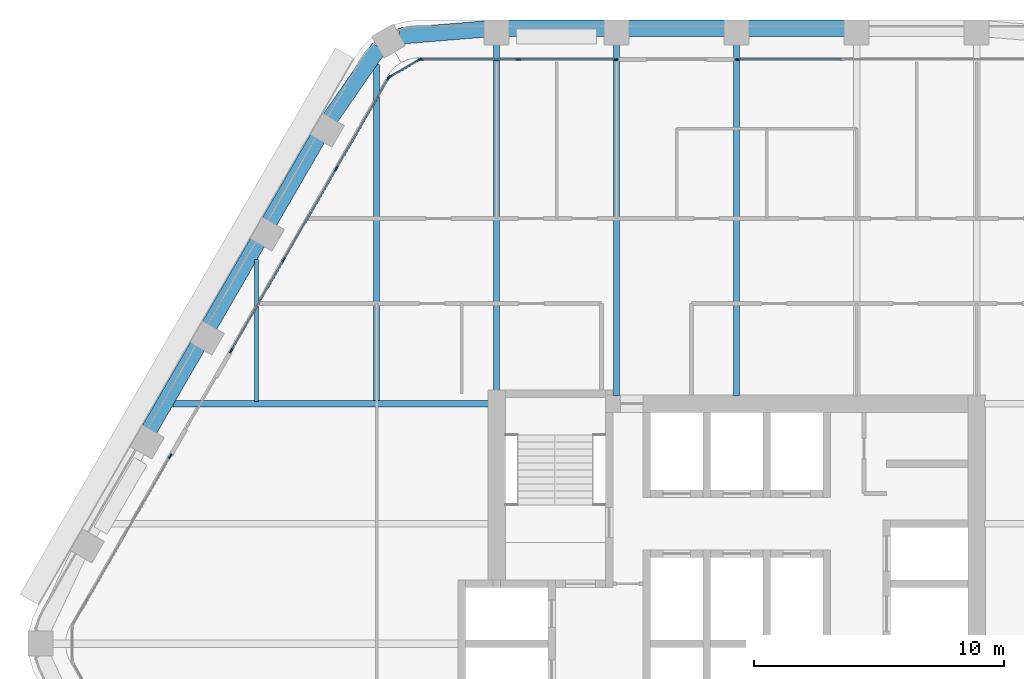
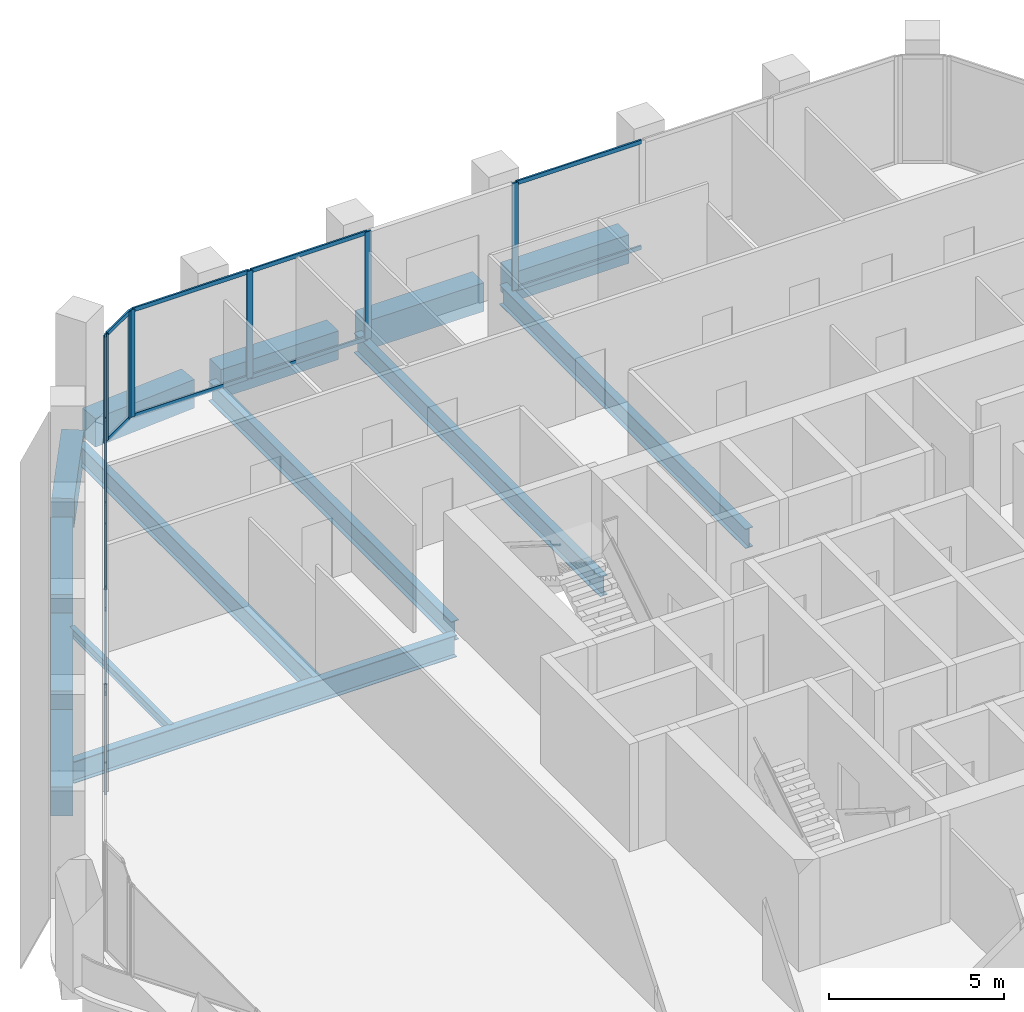
# One storey, part 5 of 15: 25 members, 14 beams, 5 elements without a shape of their own.
"""IFC4 building model written with IfcOpenShell, lengths in metres."""

from ifc_helpers import new_model, si_unit, direction, frame, origin, origin_2d, place, context, subcontext, project, spatial, rectangle, i_section, extrude, material, material_profile, profile_set, type_object, element, aggregate, save


model = new_model("IFC4")

# Units and contexts
model_context = context("Model", 3, precision=1e-05, world=origin(), true_north=direction((0.0, 1.0)))
body_context = subcontext(model_context, "Body", "Model", "MODEL_VIEW")
ifc_project = project(units=[si_unit("LENGTHUNIT", "METRE"), si_unit("AREAUNIT", "SQUARE_METRE"), si_unit("VOLUMEUNIT", "CUBIC_METRE"), si_unit("PLANEANGLEUNIT", "RADIAN"), si_unit("MASSUNIT", "GRAM", prefix="KILO")], contexts=[model_context])

# Site, building, storey
site_placement = place(None, origin())
site = spatial("IfcSite", under=ifc_project, at=site_placement, CompositionType="ELEMENT")
building_placement = place(site_placement, origin())
building = spatial("IfcBuilding", under=site, at=building_placement, Name="Kolab Exchange Tower", CompositionType="ELEMENT")
storey_placement = place(building_placement, frame((0.0, 0.0, 170.0)))
storey = spatial("IfcBuildingStorey", under=building, at=storey_placement, Name="L35", CompositionType="ELEMENT", Elevation=170.0)

# Beams
ifc_material_1 = material(Name="Steel S355", Category="steel")
ifc_material_profile_1 = material_profile(ifc_material_1, i_section(OverallWidth=0.1650390625, OverallDepth=0.31005859375, WebThickness=0.005859375, FlangeThickness=0.009765625, at=origin_2d()), Name="W310X39")
ifc_profile_set_1 = profile_set([ifc_material_profile_1], Name="Steel S355")
beam_type_1 = type_object("IfcBeamType", Name="FLOOR BEAM W310X39", PredefinedType="BEAM", material=ifc_profile_set_1)
beam_1_placement = place(storey_placement, frame((-19.199951171875, 9.693603515625, -0.304931640625), z_axis=(0.0, 1.0, 0.0), x_axis=(-1.0, 0.0, 0.0)))
element("IfcBeam", 1, at=beam_1_placement, inside=storey, type_object=beam_type_1, Name="beam/L35/fr/004", PredefinedType="BEAM", context=body_context, shape_type="SweptSolid", body=[
    extrude(i_section(OverallWidth=0.1650390625, OverallDepth=0.31005859375, WebThickness=0.005859375, FlangeThickness=0.009765625, at=origin_2d()), origin(), (0.0, 0.0, 1.0), 5.674072265625),
])
ifc_material_profile_2 = material_profile(ifc_material_1, i_section(OverallWidth=0.25390625, OverallDepth=0.68408203125, WebThickness=0.012451171875, FlangeThickness=0.018798828125, at=origin_2d()), Name="W690X140")
ifc_profile_set_2 = profile_set([ifc_material_profile_2], Name="Steel S355")
beam_type_2 = type_object("IfcBeamType", Name="FLOOR BEAM W690X140", PredefinedType="BEAM", material=ifc_profile_set_2)
beam_2_placement = place(storey_placement, frame((-14.39990234375, 9.693603515625, -0.491943359375), z_axis=(0.0, 1.0, 0.0), x_axis=(-1.0, 0.0, 0.0)))
element("IfcBeam", 2, at=beam_2_placement, inside=storey, type_object=beam_type_2, Name="beam/L35/fr/006", PredefinedType="BEAM", context=body_context, shape_type="SweptSolid", body=[
    extrude(i_section(OverallWidth=0.25390625, OverallDepth=0.68408203125, WebThickness=0.012451171875, FlangeThickness=0.018798828125, at=origin_2d()), origin(), (0.0, 0.0, 1.0), 13.462158203125),
])
beam_3_placement = place(storey_placement, frame((-9.60009765625, 10.110107421875, -0.491943359375), z_axis=(0.0, 1.0, 0.0), x_axis=(-1.0, 0.0, 0.0)))
element("IfcBeam", 3, at=beam_3_placement, inside=storey, type_object=beam_type_2, Name="beam/L35/fr/008", PredefinedType="BEAM", context=body_context, shape_type="SweptSolid", body=[
    extrude(i_section(OverallWidth=0.25390625, OverallDepth=0.68408203125, WebThickness=0.012451171875, FlangeThickness=0.018798828125, at=origin_2d()), origin(), (0.0, 0.0, 1.0), 13.871337890625),
])
for number, where, z_axis, x_axis, name in (
    (4, (-4.800048828125, 9.909912109375, -0.491943359375), (0.0, 1.0, 0.0), (-1.0, 0.0, 0.0), "beam/L35/fr/010"),
    (5, (0.0, 9.909912109375, -0.491943359375), (0.0, 1.0, 0.0), (-1.0, 0.0, 0.0), "beam/L35/fr/012"),
):
    element("IfcBeam", number, at=place(storey_placement, frame(where, z_axis=z_axis, x_axis=x_axis)), inside=storey, type_object=beam_type_2, Name=name, PredefinedType="BEAM", context=body_context, shape_type="SweptSolid", body=[
        extrude(i_section(OverallWidth=0.25390625, OverallDepth=0.68408203125, WebThickness=0.012451171875, FlangeThickness=0.018798828125, at=origin_2d()), origin(), (0.0, 0.0, 1.0), 14.071533203125),
    ])
ifc_material_profile_3 = material_profile(ifc_material_1, i_section(OverallWidth=0.26708984375, OverallDepth=0.761962890625, WebThickness=0.014404296875, FlangeThickness=0.021484375, at=origin_2d()), Name="W760X173")
ifc_profile_set_3 = profile_set([ifc_material_profile_3], Name="Steel S355")
beam_type_3 = type_object("IfcBeamType", Name="FLOOR GIRDER W760X173", PredefinedType="BEAM", material=ifc_profile_set_3)
beam_4_placement = place(storey_placement, frame((-22.546875, 9.60009765625, -0.531005859375), z_axis=(1.0, 0.0, 0.0), x_axis=(0.0, 1.0, 0.0)))
element("IfcBeam", 6, at=beam_4_placement, inside=storey, type_object=beam_type_3, Name="beam/L35/gd/001", PredefinedType="BEAM", context=body_context, shape_type="SweptSolid", body=[
    extrude(i_section(OverallWidth=0.26708984375, OverallDepth=0.761962890625, WebThickness=0.014404296875, FlangeThickness=0.021484375, at=origin_2d()), origin(), (0.0, 0.0, 1.0), 12.636962890625),
])
ifc_material_2 = material(Name="Concrete C60/75", Category="concrete")
ifc_material_profile_4 = material_profile(ifc_material_2, rectangle(XDim=0.64990234375, YDim=1.0, at=origin_2d()), Name="RC650X1000")
ifc_profile_set_4 = profile_set([ifc_material_profile_4], Name="Concrete C60/75")
beam_type_4 = type_object("IfcBeamType", Name="SPANDREL BEAM 650X1000 C60/75", PredefinedType="BEAM", material=ifc_profile_set_4)
beam_5_placement = place(storey_placement, frame((-13.493896484375, 24.2998046875, -0.64990234375), z_axis=(0.996708497182, 0.081068931445, 0.0), x_axis=(-0.081068931445, 0.996708497182, 0.0)))
element("IfcBeam", 7, at=beam_5_placement, inside=storey, type_object=beam_type_4, Name="beam/L35/sp/F1-01", PredefinedType="BEAM", context=body_context, shape_type="SweptSolid", body=[
    extrude(rectangle(XDim=0.64990234375, YDim=1.0, at=origin_2d()), origin(), (0.0, 0.0, 1.0), 3.445068359375),
])
beam_6_placement = place(storey_placement, frame((-9.139892578125, 24.616455078125, -0.64990234375), z_axis=(1.0, 0.0, 0.0), x_axis=(0.0, 1.0, 0.0)))
element("IfcBeam", 8, at=beam_6_placement, inside=storey, type_object=beam_type_4, Name="beam/L35/sp/F1-02", PredefinedType="BEAM", context=body_context, shape_type="SweptSolid", body=[
    extrude(rectangle(XDim=0.64990234375, YDim=1.0, at=origin_2d()), origin(), (0.0, 0.0, 1.0), 3.8798828125),
])
for number, where, z_axis, x_axis, name in (
    (9, (-4.340087890625, 24.616455078125, -0.64990234375), (1.0, 0.0, 0.0), (0.0, 1.0, 0.0), "beam/L35/sp/F1-03"),
    (10, (0.4599609375, 24.616455078125, -0.64990234375), (1.0, 0.0, 0.0), (0.0, 1.0, 0.0), "beam/L35/sp/F1-04"),
):
    element("IfcBeam", number, at=place(storey_placement, frame(where, z_axis=z_axis, x_axis=x_axis)), inside=storey, type_object=beam_type_4, Name=name, PredefinedType="BEAM", context=body_context, shape_type="SweptSolid", body=[
        extrude(rectangle(XDim=0.64990234375, YDim=1.0, at=origin_2d()), origin(), (0.0, 0.0, 1.0), 3.880126953125),
    ])
beam_7_placement = place(storey_placement, frame((-23.488525390625, 8.5498046875, -0.64990234375), z_axis=(0.499996613652, 0.866027358884, 0.0), x_axis=(-0.866027358884, 0.499996613652, 0.0)))
element("IfcBeam", 11, at=beam_7_placement, inside=storey, type_object=beam_type_4, Name="beam/L35/sp/F6-03", PredefinedType="BEAM", context=body_context, shape_type="SweptSolid", body=[
    extrude(rectangle(XDim=0.64990234375, YDim=1.0, at=origin_2d()), origin(), (0.0, 0.0, 1.0), 3.8798828125),
])
beam_8_placement = place(storey_placement, frame((-21.088623046875, 12.70654296875, -0.64990234375), z_axis=(0.50001655835, 0.866015843605, 0.0), x_axis=(-0.866015843605, 0.50001655835, 0.0)))
element("IfcBeam", 12, at=beam_8_placement, inside=storey, type_object=beam_type_4, Name="beam/L35/sp/F6-04", PredefinedType="BEAM", context=body_context, shape_type="SweptSolid", body=[
    extrude(rectangle(XDim=0.64990234375, YDim=1.0, at=origin_2d()), origin(), (0.0, 0.0, 1.0), 3.880126953125),
])
beam_9_placement = place(storey_placement, frame((-18.6884765625, 16.863525390625, -0.64990234375), z_axis=(0.499996613652, 0.866027358884, 0.0), x_axis=(-0.866027358884, 0.499996613652, 0.0)))
element("IfcBeam", 13, at=beam_9_placement, inside=storey, type_object=beam_type_4, Name="beam/L35/sp/F6-05", PredefinedType="BEAM", context=body_context, shape_type="SweptSolid", body=[
    extrude(rectangle(XDim=0.64990234375, YDim=1.0, at=origin_2d()), origin(), (0.0, 0.0, 1.0), 3.8798828125),
])
beam_10_placement = place(storey_placement, frame((-16.256103515625, 21.001953125, -0.64990234375), z_axis=(0.568572281073, 0.822633309073, 0.0), x_axis=(-0.822633309073, 0.568572281073, 0.0)))
element("IfcBeam", 14, at=beam_10_placement, inside=storey, type_object=beam_type_4, Name="beam/L35/sp/F6-06", PredefinedType="BEAM", context=body_context, shape_type="SweptSolid", body=[
    extrude(rectangle(XDim=0.64990234375, YDim=1.0, at=origin_2d()), origin(), (0.0, 0.0, 1.0), 3.445068359375),
])

# Curtain wall, members
ifc_material_3 = material(Name="Aluminium EN AW-6063 T6", Category="aluminium")
curtain_wall_type = type_object("IfcCurtainWallType", Name="UNITISED UPPER MID ZONE CURTAIN WALL", PredefinedType="NOTDEFINED", material=ifc_material_3)
curtain_wall_1_placement = place(storey_placement, origin())
curtain_wall_1 = element("IfcCurtainWall", 15, at=curtain_wall_1_placement, inside=storey, type_object=curtain_wall_type, Name="cw/L35/F1-1", PredefinedType="NOTDEFINED")
ifc_material_profile_5 = material_profile(ifc_material_3, rectangle(XDim=0.06005859375, YDim=0.199951171875, at=origin_2d()), Name="RECT 60X200")
ifc_profile_set_5 = profile_set([ifc_material_profile_5], Name="Aluminium EN AW-6063 T6")
member_type_1 = type_object("IfcMemberType", Name="UNITISED UPPER MID ZONE MULLION 60 X 200", PredefinedType="MULLION", material=ifc_profile_set_5)
member_1_placement = place(storey_placement, frame((-12.637939453125, 23.361572265625, 0.0), z_axis=(0.0, 0.0, 1.0), x_axis=(0.0, 1.0, 0.0)))
member_1 = element("IfcMember", 16, at=member_1_placement, type_object=member_type_1, Name="CW3 mullion 1", PredefinedType="MULLION", context=body_context, shape_type="SweptSolid", body=[
    extrude(rectangle(XDim=0.06005859375, YDim=0.199951171875, at=origin_2d()), origin(), (0.0, 0.0, 1.0), 3.75),
])
member_2_placement = place(storey_placement, frame((-8.73388671875, 23.361572265625, 0.0), z_axis=(0.0, 0.0, 1.0), x_axis=(0.0, 1.0, 0.0)))
member_2 = element("IfcMember", 17, at=member_2_placement, type_object=member_type_1, Name="CW3 mullion 2", PredefinedType="MULLION", context=body_context, shape_type="SweptSolid", body=[
    extrude(rectangle(XDim=0.06005859375, YDim=0.199951171875, at=origin_2d()), origin(), (0.0, 0.0, 1.0), 3.75),
])
member_3_placement = place(storey_placement, frame((-4.830078125, 23.361572265625, 0.0), z_axis=(0.0, 0.0, 1.0), x_axis=(0.0, 1.0, 0.0)))
member_3 = element("IfcMember", 18, at=member_3_placement, type_object=member_type_1, Name="CW3 mullion 3", PredefinedType="MULLION", context=body_context, shape_type="SweptSolid", body=[
    extrude(rectangle(XDim=0.06005859375, YDim=0.199951171875, at=origin_2d()), origin(), (0.0, 0.0, 1.0), 3.75),
])

# Curtain wall, member
curtain_wall_2_placement = place(storey_placement, origin())
curtain_wall_2 = element("IfcCurtainWall", 19, at=curtain_wall_2_placement, inside=storey, type_object=curtain_wall_type, Name="cw/L35/F1-2", PredefinedType="NOTDEFINED")
member_4_placement = place(storey_placement, frame((0.030029296875, 23.361572265625, 0.0), z_axis=(0.0, 0.0, 1.0), x_axis=(0.0, 1.0, 0.0)))
member_4 = element("IfcMember", 20, at=member_4_placement, type_object=member_type_1, Name="CW3 mullion 1", PredefinedType="MULLION", context=body_context, shape_type="SweptSolid", body=[
    extrude(rectangle(XDim=0.06005859375, YDim=0.199951171875, at=origin_2d()), origin(), (0.0, 0.0, 1.0), 3.75),
])

curtain_wall_3_placement = place(storey_placement, origin())
curtain_wall_3 = element("IfcCurtainWall", 21, at=curtain_wall_3_placement, inside=storey, type_object=curtain_wall_type, Name="cw/L35/F6-1", PredefinedType="NOTDEFINED")
member_5_placement = place(storey_placement, frame((-22.646728515625, 7.497802734375, 0.0), z_axis=(0.0, 0.0, 1.0), x_axis=(-0.866025440524, 0.499999936366, 0.0)))
member_5 = element("IfcMember", 22, at=member_5_placement, type_object=member_type_1, Name="CW3 mullion 3", PredefinedType="MULLION", context=body_context, shape_type="SweptSolid", body=[
    extrude(rectangle(XDim=0.06005859375, YDim=0.199951171875, at=origin_2d()), origin(), (0.0, 0.0, 1.0), 3.75),
])
aggregate(curtain_wall_3, [member_5])

# Curtain wall, members
curtain_wall_4_placement = place(storey_placement, origin())
curtain_wall_4 = element("IfcCurtainWall", 23, at=curtain_wall_4_placement, inside=storey, type_object=curtain_wall_type, Name="cw/L35/F6-2", PredefinedType="NOTDEFINED")
member_6_placement = place(storey_placement, frame((-20.216796875, 11.706787109375, 0.0), z_axis=(0.0, 0.0, 1.0), x_axis=(-0.866025393644, 0.500000017564, 0.0)))
member_6 = element("IfcMember", 24, at=member_6_placement, type_object=member_type_1, Name="CW3 mullion 1", PredefinedType="MULLION", context=body_context, shape_type="SweptSolid", body=[
    extrude(rectangle(XDim=0.06005859375, YDim=0.199951171875, at=origin_2d()), origin(), (0.0, 0.0, 1.0), 3.75),
])
member_7_placement = place(storey_placement, frame((-18.120361328125, 15.337646484375, 0.0), z_axis=(0.0, 0.0, 1.0), x_axis=(-0.866025393644, 0.500000017564, 0.0)))
member_7 = element("IfcMember", 25, at=member_7_placement, type_object=member_type_1, Name="CW3 mullion 2", PredefinedType="MULLION", context=body_context, shape_type="SweptSolid", body=[
    extrude(rectangle(XDim=0.06005859375, YDim=0.199951171875, at=origin_2d()), origin(), (0.0, 0.0, 1.0), 3.75),
])
member_8_placement = place(storey_placement, frame((-16.009033203125, 18.99462890625, 0.0), z_axis=(0.0, 0.0, 1.0), x_axis=(-0.866025393644, 0.500000017564, 0.0)))
member_8 = element("IfcMember", 26, at=member_8_placement, type_object=member_type_1, Name="CW3 mullion 3", PredefinedType="MULLION", context=body_context, shape_type="SweptSolid", body=[
    extrude(rectangle(XDim=0.06005859375, YDim=0.199951171875, at=origin_2d()), origin(), (0.0, 0.0, 1.0), 3.75),
])
member_9_placement = place(storey_placement, frame((-13.91259765625, 22.62548828125, 0.0), z_axis=(0.0, 0.0, 1.0), x_axis=(-0.866025393644, 0.500000017564, 0.0)))
member_9 = element("IfcMember", 27, at=member_9_placement, type_object=member_type_1, Name="CW3 mullion 4", PredefinedType="MULLION", context=body_context, shape_type="SweptSolid", body=[
    extrude(rectangle(XDim=0.06005859375, YDim=0.199951171875, at=origin_2d()), origin(), (0.0, 0.0, 1.0), 3.75),
])

curtain_wall_5_placement = place(storey_placement, origin())
curtain_wall_5 = element("IfcCurtainWall", 28, at=curtain_wall_5_placement, inside=storey, type_object=curtain_wall_type, Name="cw/L35/F6F1-corner", PredefinedType="NOTDEFINED")
member_10_placement = place(storey_placement, frame((-13.871826171875, 22.66650390625, 0.0), z_axis=(0.0, 0.0, 1.0), x_axis=(-0.50000002237, 0.866025390869, 0.0)))
member_10 = element("IfcMember", 29, at=member_10_placement, type_object=member_type_1, Name="CW3 mullion 1", PredefinedType="MULLION", context=body_context, shape_type="SweptSolid", body=[
    extrude(rectangle(XDim=0.06005859375, YDim=0.199951171875, at=origin_2d()), origin(), (0.0, 0.0, 1.0), 3.75),
])
member_11_placement = place(storey_placement, frame((-12.69384765625, 23.346435546875, 0.0), z_axis=(0.0, 0.0, 1.0), x_axis=(-0.50000002237, 0.866025390869, 0.0)))
member_11 = element("IfcMember", 30, at=member_11_placement, type_object=member_type_1, Name="CW3 mullion 2", PredefinedType="MULLION", context=body_context, shape_type="SweptSolid", body=[
    extrude(rectangle(XDim=0.06005859375, YDim=0.199951171875, at=origin_2d()), origin(), (0.0, 0.0, 1.0), 3.75),
])

# Member
ifc_material_profile_6 = material_profile(ifc_material_3, rectangle(XDim=0.06005859375, YDim=0.139892578125, at=origin_2d()), Name="RECT 60X140")
ifc_profile_set_6 = profile_set([ifc_material_profile_6], Name="Aluminium EN AW-6063 T6")
member_type_2 = type_object("IfcMemberType", Name="UNITISED UPPER MID ZONE TRANSOM 60 X 140", PredefinedType="USERDEFINED", material=ifc_profile_set_6)
member_12_placement = place(storey_placement, frame((-12.60791015625, 23.361572265625, 0.030029296875), z_axis=(1.0, 0.0, 0.0), x_axis=(0.0, 1.0, 0.0)))
member_12 = element("IfcMember", 31, at=member_12_placement, type_object=member_type_2, Name="CW3 transom 1.1", ObjectType="TRANSOM", PredefinedType="USERDEFINED", context=body_context, shape_type="SweptSolid", body=[
    extrude(rectangle(XDim=0.06005859375, YDim=0.139892578125, at=origin_2d()), origin(), (0.0, 0.0, 1.0), 3.843994140625),
])

member_13_placement = place(storey_placement, frame((-12.60791015625, 23.361572265625, 3.719970703125), z_axis=(1.0, 0.0, 0.0), x_axis=(0.0, 1.0, 0.0)))
member_13 = element("IfcMember", 32, at=member_13_placement, type_object=member_type_2, Name="CW3 transom 1.2", ObjectType="TRANSOM", PredefinedType="USERDEFINED", context=body_context, shape_type="SweptSolid", body=[
    extrude(rectangle(XDim=0.06005859375, YDim=0.139892578125, at=origin_2d()), origin(), (0.0, 0.0, 1.0), 3.843994140625),
])

member_14_placement = place(storey_placement, frame((-8.703857421875, 23.361572265625, 0.030029296875), z_axis=(1.0, 0.0, 0.0), x_axis=(0.0, 1.0, 0.0)))
member_14 = element("IfcMember", 33, at=member_14_placement, type_object=member_type_2, Name="CW3 transom 2.1", ObjectType="TRANSOM", PredefinedType="USERDEFINED", context=body_context, shape_type="SweptSolid", body=[
    extrude(rectangle(XDim=0.06005859375, YDim=0.139892578125, at=origin_2d()), origin(), (0.0, 0.0, 1.0), 3.84375),
])

member_15_placement = place(storey_placement, frame((-8.703857421875, 23.361572265625, 3.719970703125), z_axis=(1.0, 0.0, 0.0), x_axis=(0.0, 1.0, 0.0)))
member_15 = element("IfcMember", 34, at=member_15_placement, type_object=member_type_2, Name="CW3 transom 2.2", ObjectType="TRANSOM", PredefinedType="USERDEFINED", context=body_context, shape_type="SweptSolid", body=[
    extrude(rectangle(XDim=0.06005859375, YDim=0.139892578125, at=origin_2d()), origin(), (0.0, 0.0, 1.0), 3.84375),
])

aggregate(curtain_wall_1, [member_1, member_2, member_3, member_12, member_13, member_14, member_15])

member_16_placement = place(storey_placement, frame((0.06005859375, 23.361572265625, 0.030029296875), z_axis=(1.0, 0.0, 0.0), x_axis=(0.0, 1.0, 0.0)))
member_16 = element("IfcMember", 35, at=member_16_placement, type_object=member_type_2, Name="CW3 transom 1.1", ObjectType="TRANSOM", PredefinedType="USERDEFINED", context=body_context, shape_type="SweptSolid", body=[
    extrude(rectangle(XDim=0.06005859375, YDim=0.139892578125, at=origin_2d()), origin(), (0.0, 0.0, 1.0), 4.132568359375),
])

member_17_placement = place(storey_placement, frame((0.06005859375, 23.361572265625, 3.719970703125), z_axis=(1.0, 0.0, 0.0), x_axis=(0.0, 1.0, 0.0)))
member_17 = element("IfcMember", 36, at=member_17_placement, type_object=member_type_2, Name="CW3 transom 1.2", ObjectType="TRANSOM", PredefinedType="USERDEFINED", context=body_context, shape_type="SweptSolid", body=[
    extrude(rectangle(XDim=0.06005859375, YDim=0.139892578125, at=origin_2d()), origin(), (0.0, 0.0, 1.0), 4.132568359375),
])

aggregate(curtain_wall_2, [member_4, member_16, member_17])

member_18_placement = place(storey_placement, frame((-20.20166015625, 11.732666015625, 0.030029296875), z_axis=(0.500001996123, 0.866024251319, 0.0), x_axis=(-0.866024251319, 0.500001996123, 0.0)))
member_18 = element("IfcMember", 37, at=member_18_placement, type_object=member_type_2, Name="CW3 transom 1.1", ObjectType="TRANSOM", PredefinedType="USERDEFINED", context=body_context, shape_type="SweptSolid", body=[
    extrude(rectangle(XDim=0.06005859375, YDim=0.139892578125, at=origin_2d()), origin(), (0.0, 0.0, 1.0), 4.1328125),
])

member_19_placement = place(storey_placement, frame((-20.20166015625, 11.732666015625, 3.719970703125), z_axis=(0.500001996123, 0.866024251319, 0.0), x_axis=(-0.866024251319, 0.500001996123, 0.0)))
member_19 = element("IfcMember", 38, at=member_19_placement, type_object=member_type_2, Name="CW3 transom 1.2", ObjectType="TRANSOM", PredefinedType="USERDEFINED", context=body_context, shape_type="SweptSolid", body=[
    extrude(rectangle(XDim=0.06005859375, YDim=0.139892578125, at=origin_2d()), origin(), (0.0, 0.0, 1.0), 4.1328125),
])

member_20_placement = place(storey_placement, frame((-18.10546875, 15.36376953125, 0.030029296875), z_axis=(0.500037208726, 0.86600392025, 0.0), x_axis=(-0.86600392025, 0.500037208726, 0.0)))
member_20 = element("IfcMember", 39, at=member_20_placement, type_object=member_type_2, Name="CW3 transom 2.1", ObjectType="TRANSOM", PredefinedType="USERDEFINED", context=body_context, shape_type="SweptSolid", body=[
    extrude(rectangle(XDim=0.06005859375, YDim=0.139892578125, at=origin_2d()), origin(), (0.0, 0.0, 1.0), 4.162841796875),
])

member_21_placement = place(storey_placement, frame((-18.10546875, 15.36376953125, 3.719970703125), z_axis=(0.500037208726, 0.86600392025, 0.0), x_axis=(-0.86600392025, 0.500037208726, 0.0)))
member_21 = element("IfcMember", 40, at=member_21_placement, type_object=member_type_2, Name="CW3 transom 2.2", ObjectType="TRANSOM", PredefinedType="USERDEFINED", context=body_context, shape_type="SweptSolid", body=[
    extrude(rectangle(XDim=0.06005859375, YDim=0.139892578125, at=origin_2d()), origin(), (0.0, 0.0, 1.0), 4.162841796875),
])

member_22_placement = place(storey_placement, frame((-15.994140625, 19.0205078125, 0.030029296875), z_axis=(0.500001996123, 0.866024251319, 0.0), x_axis=(-0.866024251319, 0.500001996123, 0.0)))
member_22 = element("IfcMember", 41, at=member_22_placement, type_object=member_type_2, Name="CW3 transom 3.1", ObjectType="TRANSOM", PredefinedType="USERDEFINED", context=body_context, shape_type="SweptSolid", body=[
    extrude(rectangle(XDim=0.06005859375, YDim=0.139892578125, at=origin_2d()), origin(), (0.0, 0.0, 1.0), 4.1328125),
])

member_23_placement = place(storey_placement, frame((-15.994140625, 19.0205078125, 3.719970703125), z_axis=(0.500001996123, 0.866024251319, 0.0), x_axis=(-0.866024251319, 0.500001996123, 0.0)))
member_23 = element("IfcMember", 42, at=member_23_placement, type_object=member_type_2, Name="CW3 transom 3.2", ObjectType="TRANSOM", PredefinedType="USERDEFINED", context=body_context, shape_type="SweptSolid", body=[
    extrude(rectangle(XDim=0.06005859375, YDim=0.139892578125, at=origin_2d()), origin(), (0.0, 0.0, 1.0), 4.1328125),
])

aggregate(curtain_wall_4, [member_6, member_7, member_8, member_9, member_18, member_19, member_20, member_21, member_22, member_23])

member_24_placement = place(storey_placement, frame((-13.845703125, 22.681640625, 0.030029296875), z_axis=(0.86603858612, 0.49997716683, 0.0), x_axis=(-0.49997716683, 0.86603858612, 0.0)))
member_24 = element("IfcMember", 43, at=member_24_placement, type_object=member_type_2, Name="CW3 transom 1.1", ObjectType="TRANSOM", PredefinedType="USERDEFINED", context=body_context, shape_type="SweptSolid", body=[
    extrude(rectangle(XDim=0.06005859375, YDim=0.139892578125, at=origin_2d()), origin(), (0.0, 0.0, 1.0), 1.2998046875),
])

member_25_placement = place(storey_placement, frame((-13.845703125, 22.681640625, 3.719970703125), z_axis=(0.86603858612, 0.49997716683, 0.0), x_axis=(-0.49997716683, 0.86603858612, 0.0)))
member_25 = element("IfcMember", 44, at=member_25_placement, type_object=member_type_2, Name="CW3 transom 1.2", ObjectType="TRANSOM", PredefinedType="USERDEFINED", context=body_context, shape_type="SweptSolid", body=[
    extrude(rectangle(XDim=0.06005859375, YDim=0.139892578125, at=origin_2d()), origin(), (0.0, 0.0, 1.0), 1.2998046875),
])

aggregate(curtain_wall_5, [member_10, member_11, member_24, member_25])

save(model, "model.ifc")
